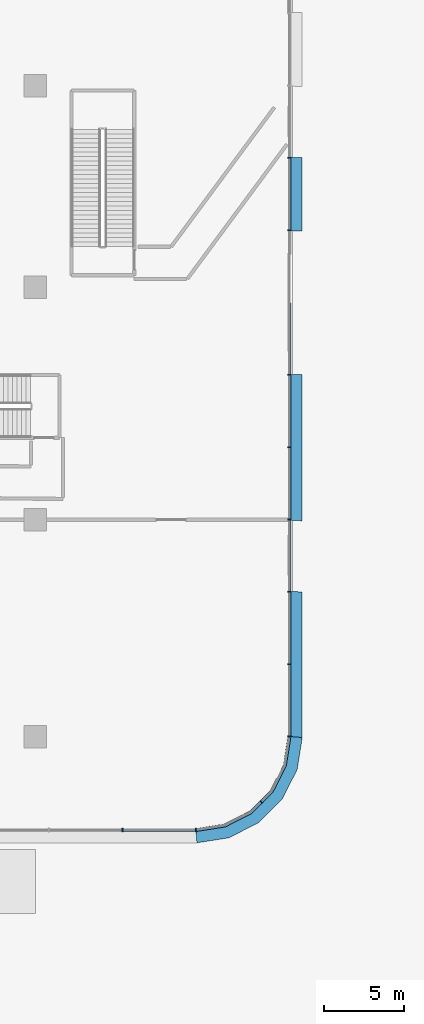
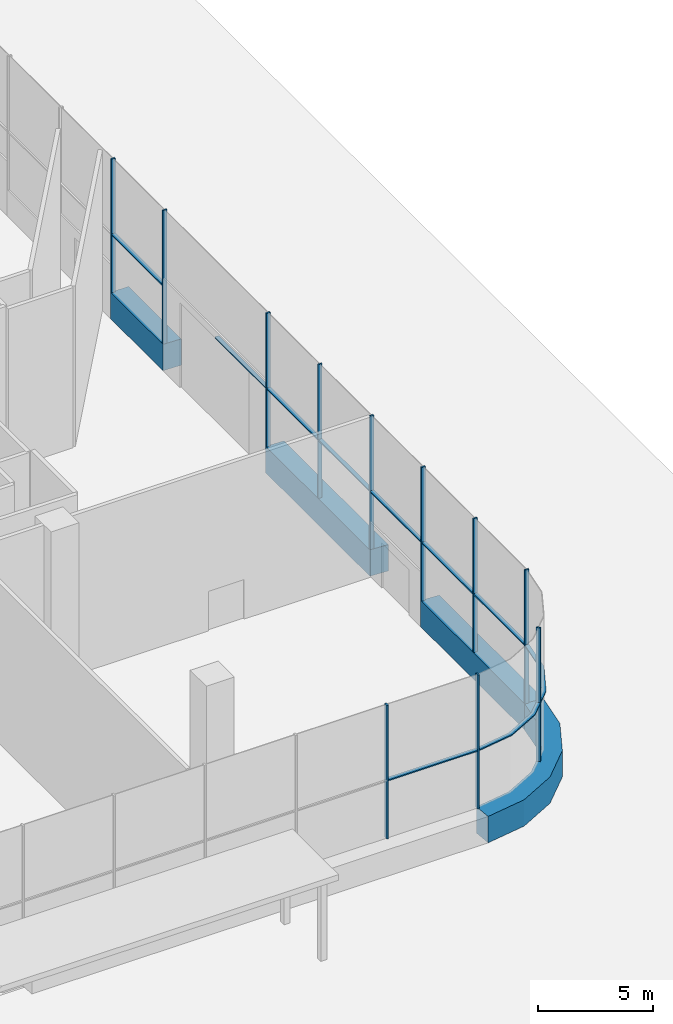
# One storey, part 12 of 54: 25 members, 3 elements without a shape of their own.
"""IFC4 building model written with IfcOpenShell, lengths in metres."""

from ifc_helpers import new_model, si_unit, direction, frame, origin, origin_2d, place, context, subcontext, project, spatial, polyline, rectangle, outline, extrude, material, layer, layer_set, material_profile, profile_set, type_object, element, aggregate, save


model = new_model("IFC4")

# Units and contexts
model_context = context("Model", 3, precision=1e-05, world=origin(), true_north=direction((0.0, 1.0)))
body_context = subcontext(model_context, "Body", "Model", "MODEL_VIEW")
ifc_project = project(units=[si_unit("LENGTHUNIT", "METRE"), si_unit("AREAUNIT", "SQUARE_METRE"), si_unit("VOLUMEUNIT", "CUBIC_METRE"), si_unit("PLANEANGLEUNIT", "RADIAN"), si_unit("MASSUNIT", "GRAM", prefix="KILO")], contexts=[model_context])

# Site, building, storey
site_placement = place(None, origin())
site = spatial("IfcSite", under=ifc_project, at=site_placement, CompositionType="ELEMENT")
building_placement = place(site_placement, origin())
building = spatial("IfcBuilding", under=site, at=building_placement, Name="Tamarind Cross Interchange Tower", CompositionType="ELEMENT")
storey_placement = place(building_placement, origin())
storey = spatial("IfcBuildingStorey", under=building, at=storey_placement, Name="L00", CompositionType="ELEMENT", Elevation=0.0)

# Curtain wall, members
ifc_material_1 = material(Name="Aluminium 6063-T6", Category="aluminium")
ifc_layer = layer(ifc_material_1, 0.199951171875)
ifc_layer_set = layer_set([ifc_layer], Name="Aluminium 6063-T6")
curtain_wall_type = type_object("IfcCurtainWallType", Name="Podium shopfront and station curtain wall", PredefinedType="NOTDEFINED", material=ifc_layer_set)
curtain_wall_1_placement = place(storey_placement, origin())
curtain_wall_1 = element("IfcCurtainWall", 1, at=curtain_wall_1_placement, inside=storey, type_object=curtain_wall_type, Name="CWS-L00-00", PredefinedType="NOTDEFINED")
ifc_material_2 = material(Name="Aluminium and insulated spandrel panel", Category="aluminium")
member_type_1 = type_object("IfcMemberType", Name="Floor-edge blade transom", PredefinedType="USERDEFINED", material=ifc_material_2)
member_1_placement = place(storey_placement, origin())
member_1 = element("IfcMember", 2, at=member_1_placement, type_object=member_type_1, Name="CWT-L00-00-0", ObjectType="TRANSOM", PredefinedType="USERDEFINED", context=body_context, shape_type="SweptSolid", body=[
    extrude(outline(polyline([(69.699951171875, -53.976318359375), (69.699951171875, -44.9404296875), (70.60009765625, -44.999267578125), (70.60009765625, -54.047119140625), (69.699951171875, -53.976318359375)])), origin(), (0.0, 0.0, 1.0), 1.39990234375),
])
member_2_placement = place(storey_placement, origin())
member_2 = element("IfcMember", 3, at=member_2_placement, type_object=member_type_1, Name="CWT-L00-00-1", ObjectType="TRANSOM", PredefinedType="USERDEFINED", context=body_context, shape_type="SweptSolid", body=[
    extrude(outline(polyline([(69.699951171875, -40.522216796875), (69.699951171875, -31.4462890625), (70.60009765625, -31.487548828125), (70.60009765625, -40.575439453125), (69.699951171875, -40.522216796875)])), origin(), (0.0, 0.0, 1.0), 1.39990234375),
])
member_3_placement = place(storey_placement, origin())
member_3 = element("IfcMember", 4, at=member_3_placement, type_object=member_type_1, Name="CWT-L00-00-2", ObjectType="TRANSOM", PredefinedType="USERDEFINED", context=body_context, shape_type="SweptSolid", body=[
    extrude(outline(polyline([(69.699951171875, -22.530029296875), (69.699951171875, -17.9521484375), (70.60009765625, -17.9755859375), (70.60009765625, -22.559814453125), (69.699951171875, -22.530029296875)])), origin(), (0.0, 0.0, 1.0), 1.39990234375),
])

# Curtain wall, member
curtain_wall_2_placement = place(storey_placement, origin())
curtain_wall_2 = element("IfcCurtainWall", 5, at=curtain_wall_2_placement, inside=storey, type_object=curtain_wall_type, Name="CWS-L00-07", PredefinedType="NOTDEFINED")
member_4_placement = place(storey_placement, origin())
member_4 = element("IfcMember", 6, at=member_4_placement, type_object=member_type_1, Name="CWT-L00-07", ObjectType="TRANSOM", PredefinedType="USERDEFINED", context=body_context, shape_type="SweptSolid", body=[
    extrude(outline(polyline([(63.976318359375, -59.699951171875), (65.76025390625, -59.41748046875), (67.34814453125, -58.6083984375), (68.6083984375, -57.34814453125), (69.41748046875, -55.76025390625), (69.699951171875, -53.976318359375), (70.60009765625, -54.047119140625), (70.2841796875, -56.041748046875), (69.345458984375, -57.8837890625), (67.8837890625, -59.345458984375), (66.041748046875, -60.2841796875), (64.047119140625, -60.60009765625), (63.976318359375, -59.699951171875)])), origin(), (0.0, 0.0, 1.0), 1.39990234375),
])

# Member
ifc_material_profile = material_profile(ifc_material_1, rectangle(XDim=0.080078125, YDim=0.199951171875, at=origin_2d()), Name="Mullion CW3")
ifc_profile_set = profile_set([ifc_material_profile], Name="Aluminium 6063-T6")
member_type_2 = type_object("IfcMemberType", Name="Mullion CW3", PredefinedType="MULLION", material=ifc_profile_set)
member_5_placement = place(storey_placement, frame((69.800048828125, -53.984375, 1.39990234375), z_axis=(0.0, 0.0, 1.0), x_axis=(0.078459095728, 0.996917333733, 0.0)))
member_5 = element("IfcMember", 7, at=member_5_placement, type_object=member_type_2, Name="CWM-L00-00-00", PredefinedType="MULLION", context=body_context, shape_type="SweptSolid", body=[
    extrude(rectangle(XDim=0.080078125, YDim=0.199951171875, at=origin_2d()), origin(), (0.0, 0.0, 1.0), 7.10009765625),
])

member_6_placement = place(storey_placement, frame((69.800048828125, -49.485595703125, 1.39990234375), z_axis=(0.0, 0.0, 1.0), x_axis=(0.0, 1.0, 0.0)))
member_6 = element("IfcMember", 8, at=member_6_placement, type_object=member_type_2, Name="CWM-L00-00-01", PredefinedType="MULLION", context=body_context, shape_type="SweptSolid", body=[
    extrude(rectangle(XDim=0.080078125, YDim=0.199951171875, at=origin_2d()), origin(), (0.0, 0.0, 1.0), 7.10009765625),
])

member_7_placement = place(storey_placement, frame((69.800048828125, -44.98681640625, 1.39990234375), z_axis=(0.0, 0.0, 1.0), x_axis=(0.0, 1.0, 0.0)))
member_7 = element("IfcMember", 9, at=member_7_placement, type_object=member_type_2, Name="CWM-L00-00-02", PredefinedType="MULLION", context=body_context, shape_type="SweptSolid", body=[
    extrude(rectangle(XDim=0.080078125, YDim=0.199951171875, at=origin_2d()), origin(), (0.0, 0.0, 1.0), 7.10009765625),
])

member_8_placement = place(storey_placement, frame((69.800048828125, -40.48828125, 1.39990234375), z_axis=(0.0, 0.0, 1.0), x_axis=(0.0, 1.0, 0.0)))
member_8 = element("IfcMember", 10, at=member_8_placement, type_object=member_type_2, Name="CWM-L00-00-03", PredefinedType="MULLION", context=body_context, shape_type="SweptSolid", body=[
    extrude(rectangle(XDim=0.080078125, YDim=0.199951171875, at=origin_2d()), origin(), (0.0, 0.0, 1.0), 7.10009765625),
])

member_9_placement = place(storey_placement, frame((69.800048828125, -35.989501953125, 1.39990234375), z_axis=(0.0, 0.0, 1.0), x_axis=(0.0, 1.0, 0.0)))
member_9 = element("IfcMember", 11, at=member_9_placement, type_object=member_type_2, Name="CWM-L00-00-04", PredefinedType="MULLION", context=body_context, shape_type="SweptSolid", body=[
    extrude(rectangle(XDim=0.080078125, YDim=0.199951171875, at=origin_2d()), origin(), (0.0, 0.0, 1.0), 7.10009765625),
])

member_10_placement = place(storey_placement, frame((69.800048828125, -31.49072265625, 1.39990234375), z_axis=(0.0, 0.0, 1.0), x_axis=(0.0, 1.0, 0.0)))
member_10 = element("IfcMember", 12, at=member_10_placement, type_object=member_type_2, Name="CWM-L00-00-05", PredefinedType="MULLION", context=body_context, shape_type="SweptSolid", body=[
    extrude(rectangle(XDim=0.080078125, YDim=0.199951171875, at=origin_2d()), origin(), (0.0, 0.0, 1.0), 7.10009765625),
])

member_11_placement = place(storey_placement, frame((69.800048828125, -22.493408203125, 1.39990234375), z_axis=(0.0, 0.0, 1.0), x_axis=(0.0, 1.0, 0.0)))
member_11 = element("IfcMember", 13, at=member_11_placement, type_object=member_type_2, Name="CWM-L00-00-07", PredefinedType="MULLION", context=body_context, shape_type="SweptSolid", body=[
    extrude(rectangle(XDim=0.080078125, YDim=0.199951171875, at=origin_2d()), origin(), (0.0, 0.0, 1.0), 7.10009765625),
])

member_12_placement = place(storey_placement, frame((69.800048828125, -17.994873046875, 1.39990234375), z_axis=(0.0, 0.0, 1.0), x_axis=(0.0, 1.0, 0.0)))
member_12 = element("IfcMember", 14, at=member_12_placement, type_object=member_type_2, Name="CWM-L00-00-08", PredefinedType="MULLION", context=body_context, shape_type="SweptSolid", body=[
    extrude(rectangle(XDim=0.080078125, YDim=0.199951171875, at=origin_2d()), origin(), (0.0, 0.0, 1.0), 7.10009765625),
])

# Curtain wall, member
curtain_wall_3_placement = place(storey_placement, origin())
curtain_wall_3 = element("IfcCurtainWall", 15, at=curtain_wall_3_placement, inside=storey, type_object=curtain_wall_type, Name="CWS-L00-06", PredefinedType="NOTDEFINED")
member_13_placement = place(storey_placement, frame((59.4140625, -59.800048828125, 1.39990234375), z_axis=(0.0, 0.0, 1.0), x_axis=(1.0, 0.0, 0.0)))
member_13 = element("IfcMember", 16, at=member_13_placement, type_object=member_type_2, Name="CWM-L00-06-27", PredefinedType="MULLION", context=body_context, shape_type="SweptSolid", body=[
    extrude(rectangle(XDim=0.080078125, YDim=0.199951171875, at=origin_2d()), origin(), (0.0, 0.0, 1.0), 7.10009765625),
])

# Member
member_14_placement = place(storey_placement, frame((63.984375, -59.800048828125, 1.39990234375), z_axis=(0.0, 0.0, 1.0), x_axis=(0.996917333733, 0.078459095728, 0.0)))
member_14 = element("IfcMember", 17, at=member_14_placement, type_object=member_type_2, Name="CWM-L00-07-00", PredefinedType="MULLION", context=body_context, shape_type="SweptSolid", body=[
    extrude(rectangle(XDim=0.080078125, YDim=0.199951171875, at=origin_2d()), origin(), (0.0, 0.0, 1.0), 7.10009765625),
])

member_15_placement = place(storey_placement, frame((68.049072265625, -58.049072265625, 1.39990234375), z_axis=(0.0, 0.0, 1.0), x_axis=(0.707106781187, 0.707106781187, 0.0)))
member_15 = element("IfcMember", 18, at=member_15_placement, type_object=member_type_2, Name="CWM-L00-07-01", PredefinedType="MULLION", context=body_context, shape_type="SweptSolid", body=[
    extrude(rectangle(XDim=0.080078125, YDim=0.199951171875, at=origin_2d()), origin(), (0.0, 0.0, 1.0), 7.10009765625),
])

member_type_3 = type_object("IfcMemberType", Name="Podium intermediate transom", PredefinedType="USERDEFINED", material=ifc_material_1)
member_16_placement = place(storey_placement, frame((0.0, 0.0, 4.469970703125)))
member_16 = element("IfcMember", 19, at=member_16_placement, type_object=member_type_3, Name="CWT-L00-00-I0-00", ObjectType="TRANSOM", PredefinedType="USERDEFINED", context=body_context, shape_type="SweptSolid", body=[
    extrude(outline(polyline([(69.699951171875, -53.9443359375), (69.699951171875, -49.525634765625), (69.89990234375, -49.525634765625), (69.89990234375, -53.9443359375), (69.699951171875, -53.9443359375)])), origin(), (0.0, 0.0, 1.0), 0.06005859375),
])

member_17_placement = place(storey_placement, frame((0.0, 0.0, 4.469970703125)))
member_17 = element("IfcMember", 20, at=member_17_placement, type_object=member_type_3, Name="CWT-L00-00-I0-01", ObjectType="TRANSOM", PredefinedType="USERDEFINED", context=body_context, shape_type="SweptSolid", body=[
    extrude(outline(polyline([(69.699951171875, -49.445556640625), (69.699951171875, -45.02685546875), (69.89990234375, -45.02685546875), (69.89990234375, -49.445556640625), (69.699951171875, -49.445556640625)])), origin(), (0.0, 0.0, 1.0), 0.06005859375),
])

member_18_placement = place(storey_placement, frame((0.0, 0.0, 4.469970703125)))
member_18 = element("IfcMember", 21, at=member_18_placement, type_object=member_type_3, Name="CWT-L00-00-I0-02", ObjectType="TRANSOM", PredefinedType="USERDEFINED", context=body_context, shape_type="SweptSolid", body=[
    extrude(outline(polyline([(69.699951171875, -44.94677734375), (69.699951171875, -40.528076171875), (69.89990234375, -40.528076171875), (69.89990234375, -44.94677734375), (69.699951171875, -44.94677734375)])), origin(), (0.0, 0.0, 1.0), 0.06005859375),
])

member_19_placement = place(storey_placement, frame((0.0, 0.0, 4.469970703125)))
member_19 = element("IfcMember", 22, at=member_19_placement, type_object=member_type_3, Name="CWT-L00-00-I0-03", ObjectType="TRANSOM", PredefinedType="USERDEFINED", context=body_context, shape_type="SweptSolid", body=[
    extrude(outline(polyline([(69.699951171875, -40.4482421875), (69.699951171875, -36.029541015625), (69.89990234375, -36.029541015625), (69.89990234375, -40.4482421875), (69.699951171875, -40.4482421875)])), origin(), (0.0, 0.0, 1.0), 0.06005859375),
])

member_20_placement = place(storey_placement, frame((0.0, 0.0, 4.469970703125)))
member_20 = element("IfcMember", 23, at=member_20_placement, type_object=member_type_3, Name="CWT-L00-00-I0-04", ObjectType="TRANSOM", PredefinedType="USERDEFINED", context=body_context, shape_type="SweptSolid", body=[
    extrude(outline(polyline([(69.699951171875, -35.949462890625), (69.699951171875, -31.53076171875), (69.89990234375, -31.53076171875), (69.89990234375, -35.949462890625), (69.699951171875, -35.949462890625)])), origin(), (0.0, 0.0, 1.0), 0.06005859375),
])

member_21_placement = place(storey_placement, frame((0.0, 0.0, 4.469970703125)))
member_21 = element("IfcMember", 24, at=member_21_placement, type_object=member_type_3, Name="CWT-L00-00-I0-05", ObjectType="TRANSOM", PredefinedType="USERDEFINED", context=body_context, shape_type="SweptSolid", body=[
    extrude(outline(polyline([(69.699951171875, -31.450927734375), (69.699951171875, -27.0322265625), (69.89990234375, -27.0322265625), (69.89990234375, -31.450927734375), (69.699951171875, -31.450927734375)])), origin(), (0.0, 0.0, 1.0), 0.06005859375),
])

member_22_placement = place(storey_placement, frame((0.0, 0.0, 4.469970703125)))
member_22 = element("IfcMember", 25, at=member_22_placement, type_object=member_type_3, Name="CWT-L00-00-I0-07", ObjectType="TRANSOM", PredefinedType="USERDEFINED", context=body_context, shape_type="SweptSolid", body=[
    extrude(outline(polyline([(69.699951171875, -22.453369140625), (69.699951171875, -18.03466796875), (69.89990234375, -18.03466796875), (69.89990234375, -22.453369140625), (69.699951171875, -22.453369140625)])), origin(), (0.0, 0.0, 1.0), 0.06005859375),
])

aggregate(curtain_wall_1, [member_5, member_6, member_7, member_8, member_9, member_10, member_11, member_12, member_16, member_17, member_18, member_19, member_20, member_21, member_22, member_1, member_2, member_3])

member_23_placement = place(storey_placement, frame((0.0, 0.0, 4.469970703125)))
member_23 = element("IfcMember", 26, at=member_23_placement, type_object=member_type_3, Name="CWT-L00-06-I0-27", ObjectType="TRANSOM", PredefinedType="USERDEFINED", context=body_context, shape_type="SweptSolid", body=[
    extrude(outline(polyline([(59.453857421875, -59.699951171875), (63.9443359375, -59.699951171875), (63.9443359375, -59.89990234375), (59.453857421875, -59.89990234375), (59.453857421875, -59.699951171875)])), origin(), (0.0, 0.0, 1.0), 0.06005859375),
])

aggregate(curtain_wall_3, [member_13, member_23])

member_24_placement = place(storey_placement, frame((0.0, 0.0, 4.469970703125)))
member_24 = element("IfcMember", 27, at=member_24_placement, type_object=member_type_3, Name="CWT-L00-07-I0-00", ObjectType="TRANSOM", PredefinedType="USERDEFINED", context=body_context, shape_type="SweptSolid", body=[
    extrude(outline(polyline([(64.008056640625, -59.695068359375), (65.76025390625, -59.41748046875), (67.34814453125, -58.6083984375), (67.949951171875, -58.006591796875), (68.09130859375, -58.14794921875), (67.46728515625, -58.772216796875), (65.82275390625, -59.610107421875), (64.039306640625, -59.892578125), (64.008056640625, -59.695068359375)])), origin(), (0.0, 0.0, 1.0), 0.06005859375),
])

member_25_placement = place(storey_placement, frame((0.0, 0.0, 4.469970703125)))
member_25 = element("IfcMember", 28, at=member_25_placement, type_object=member_type_3, Name="CWT-L00-07-I0-01", ObjectType="TRANSOM", PredefinedType="USERDEFINED", context=body_context, shape_type="SweptSolid", body=[
    extrude(outline(polyline([(68.006591796875, -57.949951171875), (68.6083984375, -57.34814453125), (69.41748046875, -55.76025390625), (69.695068359375, -54.008056640625), (69.892578125, -54.039306640625), (69.610107421875, -55.82275390625), (68.772216796875, -57.46728515625), (68.14794921875, -58.09130859375), (68.006591796875, -57.949951171875)])), origin(), (0.0, 0.0, 1.0), 0.06005859375),
])

aggregate(curtain_wall_2, [member_14, member_15, member_24, member_25, member_4])

save(model, "model.ifc")
